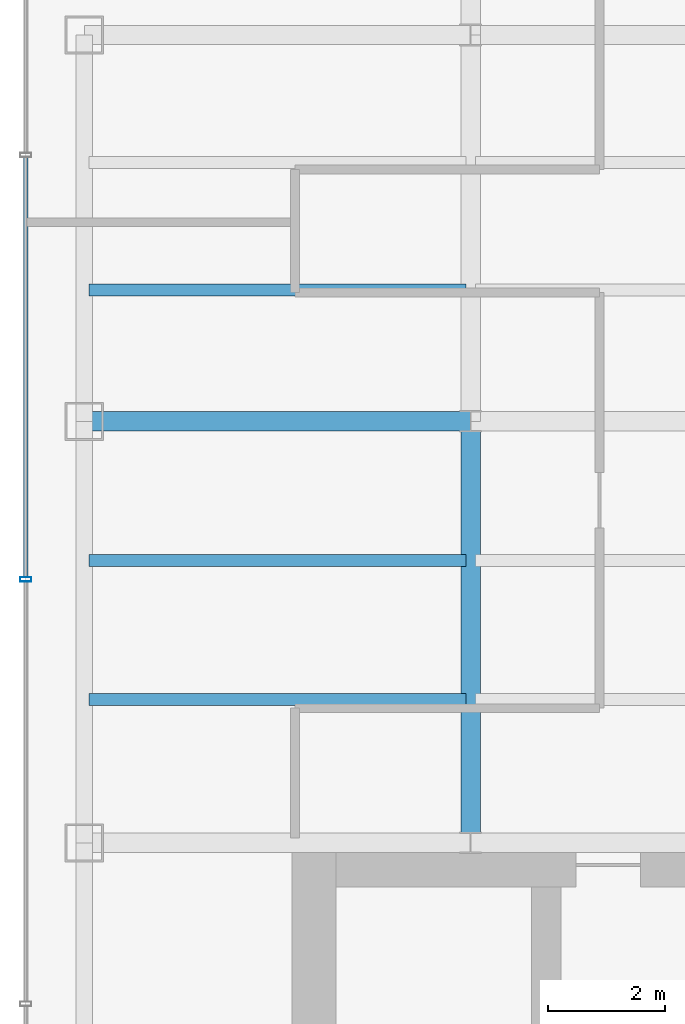
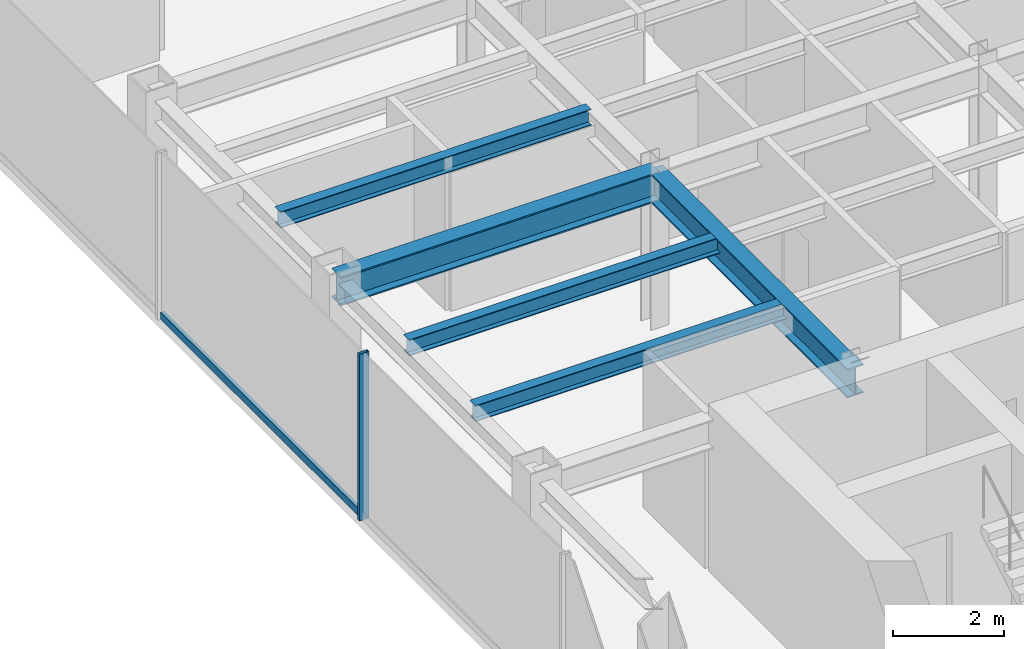
# One storey, part 5 of 23: 5 beams, 2 members, 1 element without a shape of its own.
"""IFC4 building model written with IfcOpenShell, lengths in metres."""

from ifc_helpers import new_model, si_unit, derived_unit, direction, frame, origin, origin_2d, place, context, subcontext, project, spatial, hollow_rectangle, i_section, extrude, source, transform, mapped, material, material_profile, profile_set, type_object, element, aggregate, save


model = new_model("IFC4")

# Units and contexts
model_context = context("Model", 3, precision=1e-05, world=origin(), true_north=direction((0.0, 1.0)))
body_context = subcontext(model_context, "Body", "Model", "MODEL_VIEW")
ifc_project = project(units=[si_unit("LENGTHUNIT", "METRE"), si_unit("AREAUNIT", "SQUARE_METRE"), si_unit("VOLUMEUNIT", "CUBIC_METRE"), si_unit("PLANEANGLEUNIT", "RADIAN"), si_unit("MASSUNIT", "GRAM", prefix="KILO"), derived_unit("THERMALTRANSMITTANCEUNIT", [(si_unit("POWERUNIT", "WATT"), 1), (si_unit("LENGTHUNIT", "METRE"), -2), (si_unit("THERMODYNAMICTEMPERATUREUNIT", "KELVIN"), -1)])], contexts=[model_context])

# Site, building, storey
site_placement = place(None, origin())
site = spatial("IfcSite", under=ifc_project, at=site_placement, CompositionType="ELEMENT")
building_placement = place(site_placement, origin())
building = spatial("IfcBuilding", under=site, at=building_placement, Name="Skarnbrae Concourse Arena and Tower", CompositionType="ELEMENT")
storey_placement = place(building_placement, frame((0.0, 0.0, 140.60009765625)))
storey = spatial("IfcBuildingStorey", under=building, at=storey_placement, Name="L35", CompositionType="ELEMENT", Elevation=140.60009765625)

# Beams
ifc_material_1 = material(Name="Steel CSA G40.21 350W", Category="steel")
ifc_material_profile_1 = material_profile(ifc_material_1, i_section(OverallWidth=0.3291015625, OverallDepth=0.635009765625, WebThickness=0.017822265625, FlangeThickness=0.031005859375, at=origin_2d()), Name="W610X241")
ifc_profile_set_1 = profile_set([ifc_material_profile_1], Name="Steel CSA G40.21 350W")
beam_type_1 = type_object("IfcBeamType", Name="BM-GIRD-W610X241", PredefinedType="BEAM", material=ifc_profile_set_1)
shared_shape_1 = source(origin(), body_context, "Body", "SweptSolid", [
    extrude(i_section(OverallWidth=0.3291015625, OverallDepth=0.635009765625, WebThickness=0.017822265625, FlangeThickness=0.031005859375, at=origin_2d()), origin(), (0.0, 0.0, 1.0), 6.60009765625),
])
beam_1_placement = place(storey_placement, frame((1.0, 21.199951171875, 3.08251953125), z_axis=(1.0, 0.0, 0.0), x_axis=(0.0, 1.0, 0.0)))
element("IfcBeam", 1, at=beam_1_placement, inside=storey, type_object=beam_type_1, Name="L35 Primary E-W girder Y21.2-1", PredefinedType="BEAM", context=body_context, shape_type="MappedRepresentation", body=[
    mapped(shared_shape_1, transform((0.0, 0.0, 0.0))),
])
shared_shape_2 = source(origin(), body_context, "Body", "SweptSolid", [
    extrude(i_section(OverallWidth=0.3291015625, OverallDepth=0.635009765625, WebThickness=0.017822265625, FlangeThickness=0.031005859375, at=origin_2d()), origin(), (0.0, 0.0, 1.0), 7.199951171875),
])
beam_2_placement = place(storey_placement, frame((7.60009765625, 14.0, 3.08251953125), z_axis=(0.0, 1.0, 0.0), x_axis=(-1.0, 0.0, 0.0)))
element("IfcBeam", 2, at=beam_2_placement, inside=storey, type_object=beam_type_1, Name="L35 Primary N-S girder X7.6-1", PredefinedType="BEAM", context=body_context, shape_type="MappedRepresentation", body=[
    mapped(shared_shape_2, transform((0.0, 0.0, 0.0))),
])
ifc_material_profile_2 = material_profile(ifc_material_1, i_section(OverallWidth=0.205078125, OverallDepth=0.35400390625, WebThickness=0.009521484375, FlangeThickness=0.016845703125, at=origin_2d()), Name="W360X79")
ifc_profile_set_2 = profile_set([ifc_material_profile_2], Name="Steel CSA G40.21 350W")
beam_type_2 = type_object("IfcBeamType", Name="BM-JOIST-W360X79", PredefinedType="JOIST", material=ifc_profile_set_2)
shared_shape_3 = source(origin(), body_context, "Body", "SweptSolid", [
    extrude(i_section(OverallWidth=0.205078125, OverallDepth=0.35400390625, WebThickness=0.009521484375, FlangeThickness=0.016845703125, at=origin_2d()), origin(), (0.0, 0.0, 1.0), 6.43994140625),
])
for number, where, z_axis, x_axis, name in (
    (3, (1.080078125, 16.447998046875, 3.222900390625), (1.0, 0.0, 0.0), (0.0, 1.0, 0.0), "L35 Secondary floor joist 1.1.1"),
    (4, (1.080078125, 18.823974609375, 3.222900390625), (1.0, 0.0, 0.0), (0.0, 1.0, 0.0), "L35 Secondary floor joist 1.2.1"),
    (5, (1.080078125, 23.444091796875, 3.222900390625), (1.0, 0.0, 0.0), (0.0, 1.0, 0.0), "L35 Secondary floor joist 2.1.1"),
):
    element("IfcBeam", number, at=place(storey_placement, frame(where, z_axis=z_axis, x_axis=x_axis)), inside=storey, type_object=beam_type_2, Name=name, PredefinedType="JOIST", context=body_context, shape_type="MappedRepresentation", body=[
        mapped(shared_shape_3, transform((0.0, 0.0, 0.0))),
    ])

# Curtain wall, members
ifc_material_2 = material(Name="Bronze anodised aluminium 6063-T6", Category="aluminium")
curtain_wall_type = type_object("IfcCurtainWallType", Name="CW-SYS-04-MIDZONE", PredefinedType="USERDEFINED", material=ifc_material_2)
curtain_wall_placement = place(storey_placement, origin())
curtain_wall = element("IfcCurtainWall", 6, at=curtain_wall_placement, inside=storey, type_object=curtain_wall_type, Name="L35 Unitised curtain wall CW-L35-E18", ObjectType="UNITISED CURTAIN WALL", PredefinedType="USERDEFINED")
ifc_material_profile_3 = material_profile(ifc_material_2, hollow_rectangle(XDim=0.074951171875, YDim=0.195068359375, WallThickness=0.00439453125, at=origin_2d()), Name="ALU-MULL-75X195")
ifc_profile_set_3 = profile_set([ifc_material_profile_3], Name="Bronze anodised aluminium 6063-T6")
member_type_1 = type_object("IfcMemberType", Name="CWM-CW-04", PredefinedType="MULLION", material=ifc_profile_set_3)
shared_shape_4 = source(origin(), body_context, "Body", "SweptSolid", [
    extrude(hollow_rectangle(XDim=0.074951171875, YDim=0.195068359375, WallThickness=0.00439453125, at=origin_2d()), origin(), (0.0, 0.0, 1.0), 3.64990234375),
])
member_1_placement = place(storey_placement, frame((0.0, 18.5, 0.0), z_axis=(0.0, 0.0, 1.0), x_axis=(0.0, -1.0, 0.0)))
member_1 = element("IfcMember", 7, at=member_1_placement, type_object=member_type_1, Name="CW-L35-E18 Mullion 3", PredefinedType="MULLION", context=body_context, shape_type="MappedRepresentation", body=[
    mapped(shared_shape_4, transform((0.0, 0.0, 0.0))),
])
ifc_material_profile_4 = material_profile(ifc_material_2, hollow_rectangle(XDim=0.074951171875, YDim=0.159912109375, WallThickness=0.00439453125, at=origin_2d()), Name="ALU-TRAN-75X160")
ifc_profile_set_4 = profile_set([ifc_material_profile_4], Name="Bronze anodised aluminium 6063-T6")
member_type_2 = type_object("IfcMemberType", Name="CWT-CW-04", PredefinedType="USERDEFINED", material=ifc_profile_set_4)
shared_shape_5 = source(origin(), body_context, "Body", "SweptSolid", [
    extrude(hollow_rectangle(XDim=0.074951171875, YDim=0.159912109375, WallThickness=0.00439453125, at=origin_2d()), origin(), (0.0, 0.0, 1.0), 7.1748046875),
])
member_2_placement = place(storey_placement, frame((0.0, 25.71240234375, 0.079833984375), z_axis=(0.0, -1.0, 0.0), x_axis=(1.0, 0.0, 0.0)))
member_2 = element("IfcMember", 8, at=member_2_placement, type_object=member_type_2, Name="CW-L35-E18 Transom 2", ObjectType="TRANSOM", PredefinedType="USERDEFINED", context=body_context, shape_type="MappedRepresentation", body=[
    mapped(shared_shape_5, transform((0.0, 0.0, 0.0))),
])
aggregate(curtain_wall, [member_1, member_2])

save(model, "model.ifc")
